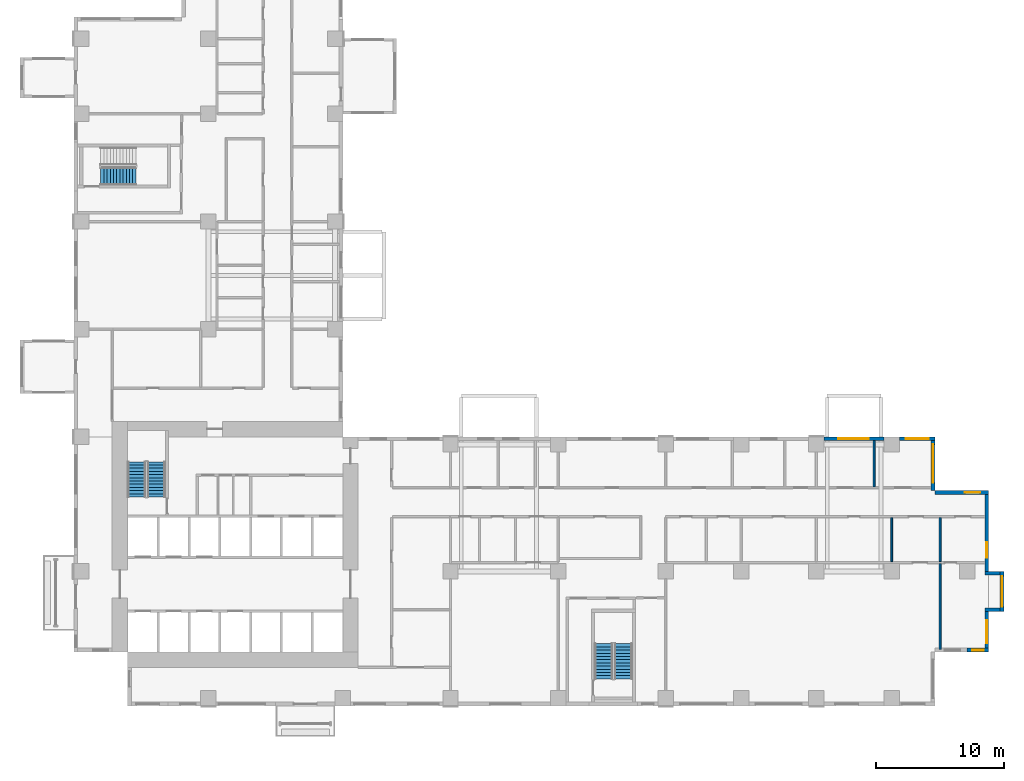
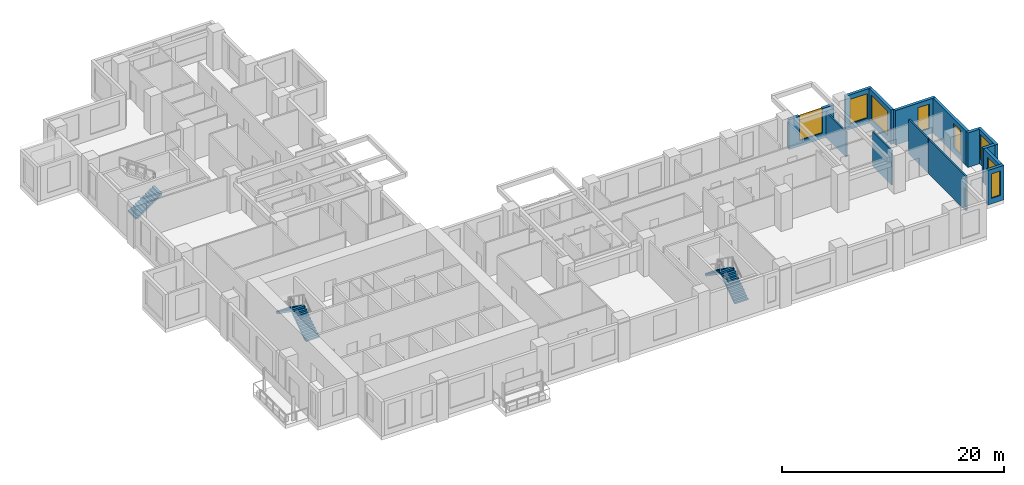
# One storey, part 9 of 14: 14 walls, 8 windows, 5 stair flights, 8 openings, 3 elements without a shape of their own.
"""IFC4 building model written with IfcOpenShell, lengths in metres."""

from ifc_helpers import new_model, si_unit, direction, frame, frame_2d, origin, place, context, subcontext, project, spatial, polyline, rectangle, outline, extrude, source, transform, mapped, material, layer, layer_set, type_object, element, fill, aggregate, save


model = new_model("IFC4")

# Units and contexts
model_context = context("Model", 3, precision=1e-05, world=origin(), true_north=direction((0.0, 1.0)))
body_context = subcontext(model_context, "Body", "Model", "MODEL_VIEW")
ifc_project = project(units=[si_unit("LENGTHUNIT", "METRE"), si_unit("AREAUNIT", "SQUARE_METRE"), si_unit("VOLUMEUNIT", "CUBIC_METRE"), si_unit("PLANEANGLEUNIT", "RADIAN"), si_unit("MASSUNIT", "GRAM", prefix="KILO")], contexts=[model_context])

# Site, building, storey
site_placement = place(None, origin())
site = spatial("IfcSite", under=ifc_project, at=site_placement, CompositionType="ELEMENT")
building_placement = place(site_placement, origin())
building = spatial("IfcBuilding", under=site, at=building_placement, Name="Aurelian Terraces", CompositionType="ELEMENT")
storey_placement = place(building_placement, frame((0.0, 0.0, 86.7)))
storey = spatial("IfcBuildingStorey", under=building, at=storey_placement, Name="L18", CompositionType="ELEMENT", Elevation=86.7)

# Wall, opening, window
ifc_material_1 = material(Name="Terracotta rainscreen cladding", Category="masonry")
ifc_layer_1 = layer(ifc_material_1, 0.3)
ifc_layer_set_1 = layer_set([ifc_layer_1], Name="EW-300")
wall_type_1 = type_object("IfcWallType", Name="EW-300", PredefinedType="STANDARD", material=ifc_layer_set_1)
shared_shape_1 = source(origin(), body_context, "Body", "SweptSolid", [
    extrude(rectangle(XDim=3.15, YDim=0.3, at=frame_2d((1.575, 0.0))), origin(), (0.0, 0.0, 1.0), 3.8),
])
wall_1_placement = place(storey_placement, frame((71.25, 4.2, 0.0), z_axis=(0.0, 0.0, 1.0), x_axis=(0.0, 1.0, 0.0)))
wall_1 = element("IfcWall", 1, at=wall_1_placement, inside=storey, type_object=wall_type_1, Name="External wall L18 F04.15", PredefinedType="STANDARD", context=body_context, shape_type="MappedRepresentation", body=[
    mapped(shared_shape_1, transform((0.0, 0.0, 0.0), scale=1.0)),
])
shared_shape_2 = source(origin(), body_context, "Body", "SweptSolid", [
    extrude(rectangle(XDim=1.8, YDim=2.7, at=frame_2d((0.9, 1.35))), frame((0.0, 0.16, 0.0), z_axis=(0.0, -1.0, 0.0), x_axis=(1.0, 0.0, 0.0)), (0.0, 0.0, 1.0), 0.32),
])
opening_1_placement = place(wall_1_placement, frame((0.675, 0.0, 0.6)))
opening_1 = element("IfcOpeningElement", 2, at=opening_1_placement, cuts=wall_1, Name="Opening W1827", PredefinedType="OPENING", context=body_context, shape_type="MappedRepresentation", body=[
    mapped(shared_shape_2, transform((0.0, 0.0, 0.0), scale=1.0)),
])
ifc_material_2 = material(Name="Clear glazing", Category="glass")
window_type_1 = type_object("IfcWindowType", Name="W-1800x2700", PartitioningType="SINGLE_PANEL", PredefinedType="WINDOW", material=ifc_material_2)
shared_shape_3 = source(origin(), body_context, "Body", "SweptSolid", [
    extrude(rectangle(XDim=1.8, YDim=2.7, at=frame_2d((0.9, 1.35))), frame((0.0, 0.03, 0.0), z_axis=(0.0, -1.0, 0.0), x_axis=(1.0, 0.0, 0.0)), (0.0, 0.0, 1.0), 0.06),
])
window_1_placement = place(opening_1_placement, origin())
window_1 = element("IfcWindow", 3, at=window_1_placement, inside=storey, type_object=window_type_1, Name="Window L18 L18-F04-15-0", OverallHeight=2.7, OverallWidth=1.8, PartitioningType="SINGLE_PANEL", PredefinedType="WINDOW", context=body_context, shape_type="MappedRepresentation", body=[
    mapped(shared_shape_3, transform((0.0, 0.0, 0.0), scale=1.0)),
])
fill(opening_1, window_1)

wall_2_placement = place(storey_placement, frame((72.45, 7.35, 0.0), z_axis=(0.0, 0.0, 1.0), x_axis=(0.0, 1.0, 0.0)))
wall_2 = element("IfcWall", 4, at=wall_2_placement, inside=storey, type_object=wall_type_1, Name="Bay wall L18 F04.16", PredefinedType="STANDARD", context=body_context, shape_type="MappedRepresentation", body=[
    mapped(shared_shape_1, transform((0.0, 0.0, 0.0), scale=1.0)),
])
shared_shape_4 = source(origin(), body_context, "Body", "SweptSolid", [
    extrude(rectangle(XDim=2.4, YDim=2.7, at=frame_2d((1.2, 1.35))), frame((0.0, 0.16, 0.0), z_axis=(0.0, -1.0, 0.0), x_axis=(1.0, 0.0, 0.0)), (0.0, 0.0, 1.0), 0.32),
])
opening_2_placement = place(wall_2_placement, frame((0.375, 0.0, 0.6)))
opening_2 = element("IfcOpeningElement", 5, at=opening_2_placement, cuts=wall_2, Name="Opening W2427", PredefinedType="OPENING", context=body_context, shape_type="MappedRepresentation", body=[
    mapped(shared_shape_4, transform((0.0, 0.0, 0.0), scale=1.0)),
])
window_type_2 = type_object("IfcWindowType", Name="W-2400x2700", PartitioningType="SINGLE_PANEL", PredefinedType="WINDOW", material=ifc_material_2)
shared_shape_5 = source(origin(), body_context, "Body", "SweptSolid", [
    extrude(rectangle(XDim=2.4, YDim=2.7, at=frame_2d((1.2, 1.35))), frame((0.0, 0.03, 0.0), z_axis=(0.0, -1.0, 0.0), x_axis=(1.0, 0.0, 0.0)), (0.0, 0.0, 1.0), 0.06),
])
window_2_placement = place(opening_2_placement, origin())
window_2 = element("IfcWindow", 6, at=window_2_placement, inside=storey, type_object=window_type_2, Name="Window L18 L18-F04-16-0", OverallHeight=2.7, OverallWidth=2.4, PartitioningType="SINGLE_PANEL", PredefinedType="WINDOW", context=body_context, shape_type="MappedRepresentation", body=[
    mapped(shared_shape_5, transform((0.0, 0.0, 0.0), scale=1.0)),
])
fill(opening_2, window_2)

shared_shape_6 = source(origin(), body_context, "Body", "SweptSolid", [
    extrude(rectangle(XDim=4.2, YDim=0.3, at=frame_2d((2.1, 0.0))), origin(), (0.0, 0.0, 1.0), 3.8),
])
wall_3_placement = place(storey_placement, frame((71.4, 16.65, 0.0), z_axis=(0.0, 0.0, 1.0), x_axis=(-1.0, 0.0, 0.0)))
wall_3 = element("IfcWall", 7, at=wall_3_placement, inside=storey, type_object=wall_type_1, Name="External wall L18 F05.18", PredefinedType="STANDARD", context=body_context, shape_type="MappedRepresentation", body=[
    mapped(shared_shape_6, transform((0.0, 0.0, 0.0), scale=1.0)),
])
shared_shape_7 = source(origin(), body_context, "Body", "SweptSolid", [
    extrude(rectangle(XDim=1.2, YDim=2.7, at=frame_2d((0.6, 1.35))), frame((0.0, 0.16, 0.0), z_axis=(0.0, -1.0, 0.0), x_axis=(1.0, 0.0, 0.0)), (0.0, 0.0, 1.0), 0.32),
])
opening_3_placement = place(wall_3_placement, frame((0.66, 0.0, 0.6)))
opening_3 = element("IfcOpeningElement", 8, at=opening_3_placement, cuts=wall_3, Name="Opening W1227", PredefinedType="OPENING", context=body_context, shape_type="MappedRepresentation", body=[
    mapped(shared_shape_7, transform((0.0, 0.0, 0.0), scale=1.0)),
])
window_type_3 = type_object("IfcWindowType", Name="W-1200x2700", PartitioningType="SINGLE_PANEL", PredefinedType="WINDOW", material=ifc_material_2)
shared_shape_8 = source(origin(), body_context, "Body", "SweptSolid", [
    extrude(rectangle(XDim=1.2, YDim=2.7, at=frame_2d((0.6, 1.35))), frame((0.0, 0.03, 0.0), z_axis=(0.0, -1.0, 0.0), x_axis=(1.0, 0.0, 0.0)), (0.0, 0.0, 1.0), 0.06),
])
window_3_placement = place(opening_3_placement, origin())
window_3 = element("IfcWindow", 9, at=window_3_placement, inside=storey, type_object=window_type_3, Name="Window L18 L18-F05-18-0", OverallHeight=2.7, OverallWidth=1.2, PartitioningType="SINGLE_PANEL", PredefinedType="WINDOW", context=body_context, shape_type="MappedRepresentation", body=[
    mapped(shared_shape_8, transform((0.0, 0.0, 0.0), scale=1.0)),
])
fill(opening_3, window_3)

wall_4_placement = place(storey_placement, frame((67.05, 16.8, 0.0), z_axis=(0.0, 0.0, 1.0), x_axis=(0.0, 1.0, 0.0)))
wall_4 = element("IfcWall", 10, at=wall_4_placement, inside=storey, type_object=wall_type_1, Name="External wall L18 F06.19", PredefinedType="STANDARD", context=body_context, shape_type="MappedRepresentation", body=[
    mapped(shared_shape_6, transform((0.0, 0.0, 0.0), scale=1.0)),
])
shared_shape_9 = source(origin(), body_context, "Body", "SweptSolid", [
    extrude(rectangle(XDim=3.0, YDim=2.7, at=frame_2d((1.5, 1.35))), frame((0.0, 0.16, 0.0), z_axis=(0.0, -1.0, 0.0), x_axis=(1.0, 0.0, 0.0)), (0.0, 0.0, 1.0), 0.32),
])
opening_4_placement = place(wall_4_placement, frame((0.6, 0.0, 0.6)))
opening_4 = element("IfcOpeningElement", 11, at=opening_4_placement, cuts=wall_4, Name="Opening W3027", PredefinedType="OPENING", context=body_context, shape_type="MappedRepresentation", body=[
    mapped(shared_shape_9, transform((0.0, 0.0, 0.0), scale=1.0)),
])
window_type_4 = type_object("IfcWindowType", Name="W-3000x2700", PartitioningType="SINGLE_PANEL", PredefinedType="WINDOW", material=ifc_material_2)
shared_shape_10 = source(origin(), body_context, "Body", "SweptSolid", [
    extrude(rectangle(XDim=3.0, YDim=2.7, at=frame_2d((1.5, 1.35))), frame((0.0, 0.03, 0.0), z_axis=(0.0, -1.0, 0.0), x_axis=(1.0, 0.0, 0.0)), (0.0, 0.0, 1.0), 0.06),
])
window_4_placement = place(opening_4_placement, origin())
window_4 = element("IfcWindow", 12, at=window_4_placement, inside=storey, type_object=window_type_4, Name="Window L18 L18-F06-19-0", OverallHeight=2.7, OverallWidth=3.0, PartitioningType="SINGLE_PANEL", PredefinedType="WINDOW", context=body_context, shape_type="MappedRepresentation", body=[
    mapped(shared_shape_10, transform((0.0, 0.0, 0.0), scale=1.0)),
])
fill(opening_4, window_4)

shared_shape_11 = source(origin(), body_context, "Body", "SweptSolid", [
    extrude(rectangle(XDim=2.76, YDim=0.3, at=frame_2d((1.38, 0.0))), origin(), (0.0, 0.0, 1.0), 3.8),
])
wall_5_placement = place(storey_placement, frame((67.2, 20.85, 0.0), z_axis=(0.0, 0.0, 1.0), x_axis=(-1.0, 0.0, 0.0)))
wall_5 = element("IfcWall", 13, at=wall_5_placement, inside=storey, type_object=wall_type_1, Name="External wall L18 F07.20", PredefinedType="STANDARD", context=body_context, shape_type="MappedRepresentation", body=[
    mapped(shared_shape_11, transform((0.0, 0.0, 0.0), scale=1.0)),
])
opening_5_placement = place(wall_5_placement, frame((0.48, 0.0, 0.6)))
opening_5 = element("IfcOpeningElement", 14, at=opening_5_placement, cuts=wall_5, Name="Opening W1827", PredefinedType="OPENING", context=body_context, shape_type="MappedRepresentation", body=[
    mapped(shared_shape_2, transform((0.0, 0.0, 0.0), scale=1.0)),
])
window_5_placement = place(opening_5_placement, origin())
window_5 = element("IfcWindow", 15, at=window_5_placement, inside=storey, type_object=window_type_1, Name="Window L18 L18-F07-20-P0", OverallHeight=2.7, OverallWidth=1.8, PartitioningType="SINGLE_PANEL", PredefinedType="WINDOW", context=body_context, shape_type="MappedRepresentation", body=[
    mapped(shared_shape_3, transform((0.0, 0.0, 0.0), scale=1.0)),
])
fill(opening_5, window_5)

# Walls
shared_shape_12 = source(origin(), body_context, "Body", "SweptSolid", [
    extrude(rectangle(XDim=1.2, YDim=0.3, at=frame_2d((0.6, 0.0))), origin(), (0.0, 0.0, 1.0), 3.8),
])
for number, where, z_axis, x_axis, name in (
    (16, (71.1, 7.5, 0.0), (0.0, 0.0, 1.0), (1.0, 0.0, 0.0), "Bay return L18 F04.16.1"),
    (17, (71.1, 10.35, 0.0), (0.0, 0.0, 1.0), (1.0, 0.0, 0.0), "Bay return L18 F04.16.2"),
):
    element("IfcWall", number, at=place(storey_placement, frame(where, z_axis=z_axis, x_axis=x_axis)), inside=storey, type_object=wall_type_1, Name=name, PredefinedType="STANDARD", context=body_context, shape_type="MappedRepresentation", body=[
        mapped(shared_shape_12, transform((0.0, 0.0, 0.0), scale=1.0)),
    ])

# Wall, opening, window
shared_shape_13 = source(origin(), body_context, "Body", "SweptSolid", [
    extrude(rectangle(XDim=4.68, YDim=0.3, at=frame_2d((2.34, 0.0))), origin(), (0.0, 0.0, 1.0), 3.3),
])
wall_6_placement = place(storey_placement, frame((63.24, 20.85, 0.0), z_axis=(0.0, 0.0, 1.0), x_axis=(-1.0, 0.0, 0.0)))
wall_6 = element("IfcWall", 18, at=wall_6_placement, inside=storey, type_object=wall_type_1, Name="External wall L18 F07.20", PredefinedType="STANDARD", context=body_context, shape_type="MappedRepresentation", body=[
    mapped(shared_shape_13, transform((0.0, 0.0, 0.0), scale=1.0)),
])
opening_6_placement = place(wall_6_placement, frame((1.1935, 0.0, 0.6)))
opening_6 = element("IfcOpeningElement", 19, at=opening_6_placement, cuts=wall_6, Name="Opening W2427", PredefinedType="OPENING", context=body_context, shape_type="MappedRepresentation", body=[
    mapped(shared_shape_4, transform((0.0, 0.0, 0.0), scale=1.0)),
])
window_6_placement = place(opening_6_placement, origin())
window_6 = element("IfcWindow", 20, at=window_6_placement, inside=storey, type_object=window_type_2, Name="Window L18 L18-F07-20-1", OverallHeight=2.7, OverallWidth=2.4, PartitioningType="SINGLE_PANEL", PredefinedType="WINDOW", context=body_context, shape_type="MappedRepresentation", body=[
    mapped(shared_shape_5, transform((0.0, 0.0, 0.0), scale=1.0)),
])
fill(opening_6, window_6)

shared_shape_14 = source(origin(), body_context, "Body", "SweptSolid", [
    extrude(rectangle(XDim=1.68, YDim=0.3, at=frame_2d((0.84, 0.0))), origin(), (0.0, 0.0, 1.0), 3.8),
])
wall_7_placement = place(storey_placement, frame((69.72, 4.35, 0.0), z_axis=(0.0, 0.0, 1.0), x_axis=(1.0, 0.0, 0.0)))
wall_7 = element("IfcWall", 21, at=wall_7_placement, inside=storey, type_object=wall_type_1, Name="External wall L18 F03.14", PredefinedType="STANDARD", context=body_context, shape_type="MappedRepresentation", body=[
    mapped(shared_shape_14, transform((0.0, 0.0, 0.0), scale=1.0)),
])
shared_shape_15 = source(origin(), body_context, "Body", "SweptSolid", [
    extrude(rectangle(XDim=0.9, YDim=2.7, at=frame_2d((0.45, 1.35))), frame((0.0, 0.16, 0.0), z_axis=(0.0, -1.0, 0.0), x_axis=(1.0, 0.0, 0.0)), (0.0, 0.0, 1.0), 0.32),
])
opening_7_placement = place(wall_7_placement, frame((0.39, 0.0, 0.6)))
opening_7 = element("IfcOpeningElement", 22, at=opening_7_placement, cuts=wall_7, Name="Opening W0927", PredefinedType="OPENING", context=body_context, shape_type="MappedRepresentation", body=[
    mapped(shared_shape_15, transform((0.0, 0.0, 0.0), scale=1.0)),
])
window_type_5 = type_object("IfcWindowType", Name="W-900x2700", PartitioningType="SINGLE_PANEL", PredefinedType="WINDOW", material=ifc_material_2)
shared_shape_16 = source(origin(), body_context, "Body", "SweptSolid", [
    extrude(rectangle(XDim=0.9, YDim=2.7, at=frame_2d((0.45, 1.35))), frame((0.0, 0.03, 0.0), z_axis=(0.0, -1.0, 0.0), x_axis=(1.0, 0.0, 0.0)), (0.0, 0.0, 1.0), 0.06),
])
window_7_placement = place(opening_7_placement, origin())
window_7 = element("IfcWindow", 23, at=window_7_placement, inside=storey, type_object=window_type_5, Name="Window L18 L18-F03-14-P0", OverallHeight=2.7, OverallWidth=0.9, PartitioningType="SINGLE_PANEL", PredefinedType="WINDOW", context=body_context, shape_type="MappedRepresentation", body=[
    mapped(shared_shape_16, transform((0.0, 0.0, 0.0), scale=1.0)),
])
fill(opening_7, window_7)

shared_shape_17 = source(origin(), body_context, "Body", "SweptSolid", [
    extrude(rectangle(XDim=6.3, YDim=0.3, at=frame_2d((3.15, 0.0))), origin(), (0.0, 0.0, 1.0), 3.8),
])
wall_8_placement = place(storey_placement, frame((71.25, 10.5, 0.0), z_axis=(0.0, 0.0, 1.0), x_axis=(0.0, 1.0, 0.0)))
wall_8 = element("IfcWall", 24, at=wall_8_placement, inside=storey, type_object=wall_type_1, Name="External wall L18 F04.17", PredefinedType="STANDARD", context=body_context, shape_type="MappedRepresentation", body=[
    mapped(shared_shape_17, transform((0.0, 0.0, 0.0), scale=1.0)),
])
opening_8_placement = place(wall_8_placement, frame((1.0625, 0.0, 0.6)))
opening_8 = element("IfcOpeningElement", 25, at=opening_8_placement, cuts=wall_8, Name="Opening W1227", PredefinedType="OPENING", context=body_context, shape_type="MappedRepresentation", body=[
    mapped(shared_shape_7, transform((0.0, 0.0, 0.0), scale=1.0)),
])
window_8_placement = place(opening_8_placement, origin())
window_8 = element("IfcWindow", 26, at=window_8_placement, inside=storey, type_object=window_type_3, Name="Window L18 L18-F04-17-0", OverallHeight=2.7, OverallWidth=1.2, PartitioningType="SINGLE_PANEL", PredefinedType="WINDOW", context=body_context, shape_type="MappedRepresentation", body=[
    mapped(shared_shape_8, transform((0.0, 0.0, 0.0), scale=1.0)),
])
fill(opening_8, window_8)

# Walls
ifc_material_3 = material(Name="Gypsum board on steel studs", Category="steel")
ifc_layer_2 = layer(ifc_material_3, 0.15)
ifc_layer_set_2 = layer_set([ifc_layer_2], Name="Partition 150")
wall_type_2 = type_object("IfcWallType", Name="Partition 150", PredefinedType="PARTITIONING", material=ifc_layer_set_2)
shared_shape_18 = source(origin(), body_context, "Body", "SweptSolid", [
    extrude(rectangle(XDim=6.695, YDim=0.15, at=frame_2d((3.3475, 0.0))), origin(), (0.0, 0.0, 1.0), 3.8),
])
wall_9_placement = place(storey_placement, frame((67.62, 4.405, 0.0), z_axis=(0.0, 0.0, 1.0), x_axis=(0.0, 1.0, 0.0)))
element("IfcWall", 27, at=wall_9_placement, inside=storey, type_object=wall_type_2, Name="Partition", PredefinedType="PARTITIONING", context=body_context, shape_type="MappedRepresentation", body=[
    mapped(shared_shape_18, transform((0.0, 0.0, 0.0), scale=1.0)),
])
shared_shape_19 = source(origin(), body_context, "Body", "SweptSolid", [
    extrude(rectangle(XDim=3.6, YDim=0.15, at=frame_2d((1.8, 0.0))), origin(), (0.0, 0.0, 1.0), 2.8),
])
wall_10_placement = place(storey_placement, frame((62.4675, 20.7, 0.0), z_axis=(0.0, 0.0, 1.0), x_axis=(0.0, -1.0, 0.0)))
element("IfcWall", 28, at=wall_10_placement, inside=storey, type_object=wall_type_2, Name="Partition", PredefinedType="PARTITIONING", context=body_context, shape_type="MappedRepresentation", body=[
    mapped(shared_shape_19, transform((0.0, 0.0, 0.0), scale=1.0)),
])
shared_shape_20 = source(origin(), body_context, "Body", "SweptSolid", [
    extrude(rectangle(XDim=3.45, YDim=0.15, at=frame_2d((1.725, 0.0))), origin(), (0.0, 0.0, 1.0), 3.8),
])
for number, where, z_axis, x_axis, name in (
    (29, (63.84, 11.25, 0.0), (0.0, 0.0, 1.0), (0.0, 1.0, 0.0), "Partition"),
    (30, (67.62, 11.25, 0.0), (0.0, 0.0, 1.0), (0.0, 1.0, 0.0), "Partition"),
):
    element("IfcWall", number, at=place(storey_placement, frame(where, z_axis=z_axis, x_axis=x_axis)), inside=storey, type_object=wall_type_2, Name=name, PredefinedType="PARTITIONING", context=body_context, shape_type="MappedRepresentation", body=[
        mapped(shared_shape_20, transform((0.0, 0.0, 0.0), scale=1.0)),
    ])

# Stair, stair flights
ifc_material_4 = material(Name="Concrete fc' 40 MPa", Category="concrete")
stair_type = type_object("IfcStairType", Name="Stair 1400", PredefinedType="HALF_TURN_STAIR", material=ifc_material_4)
stair_1_placement = place(storey_placement, origin())
stair_1 = element("IfcStair", 31, at=stair_1_placement, inside=storey, type_object=stair_type, Name="L18 S1", PredefinedType="HALF_TURN_STAIR")
stair_flight_type = type_object("IfcStairFlightType", Name="Stair flight 1400", PredefinedType="STRAIGHT", material=ifc_material_4)
shared_shape_21 = source(origin(), body_context, "Body", "SweptSolid", [
    extrude(outline(polyline([(0.0, 0.0), (0.0, 0.175), (0.25, 0.175), (0.25, 0.35), (0.5, 0.35), (0.5, 0.525), (0.75, 0.525), (0.75, 0.7), (1.0, 0.7), (1.0, 0.875), (1.25, 0.875), (1.25, 1.05), (1.5, 1.05), (1.5, 1.225), (1.75, 1.225), (1.75, 1.4), (2.0, 1.4), (2.0, 1.575), (2.25, 1.575), (2.25, 1.75), (2.5, 1.75), (2.5, 1.925), (2.75, 1.925), (2.75, 2.1), (2.75, 1.7419), (0.2616, 0.0), (0.0, 0.0)])), frame((0.0, 0.7, 0.0), z_axis=(0.0, -1.0, 0.0), x_axis=(1.0, 0.0, 0.0)), (0.0, 0.0, 1.0), 1.4),
])
stair_flight_1_placement = place(storey_placement, frame((6.45, 16.3, 2e-08), z_axis=(0.0, 0.0, 1.0), x_axis=(0.0, 1.0, 0.0)))
stair_flight_1 = element("IfcStairFlight", 32, at=stair_flight_1_placement, type_object=stair_flight_type, Name="S1 flight 1", NumberOfRisers=12, NumberOfTreads=11, PredefinedType="STRAIGHT", RiserHeight=0.175, TreadLength=0.25, context=body_context, shape_type="MappedRepresentation", body=[
    mapped(shared_shape_21, transform((0.0, 0.0, 0.0), scale=1.0)),
])
stair_flight_2_placement = place(storey_placement, frame((4.9, 19.05, 2.100000019999994), z_axis=(0.0, 0.0, 1.0), x_axis=(0.0, -1.0, 0.0)))
stair_flight_2 = element("IfcStairFlight", 33, at=stair_flight_2_placement, type_object=stair_flight_type, Name="S1 flight 2", NumberOfRisers=12, NumberOfTreads=11, PredefinedType="STRAIGHT", RiserHeight=0.175, TreadLength=0.25, context=body_context, shape_type="MappedRepresentation", body=[
    mapped(shared_shape_21, transform((0.0, 0.0, 0.0), scale=1.0)),
])
aggregate(stair_1, [stair_flight_1, stair_flight_2])

stair_2_placement = place(storey_placement, origin())
stair_2 = element("IfcStair", 34, at=stair_2_placement, inside=storey, type_object=stair_type, Name="L18 S2", PredefinedType="HALF_TURN_STAIR")
stair_flight_3_placement = place(storey_placement, frame((42.9, 2.1, 2e-08), z_axis=(0.0, 0.0, 1.0), x_axis=(0.0, 1.0, 0.0)))
stair_flight_3 = element("IfcStairFlight", 35, at=stair_flight_3_placement, type_object=stair_flight_type, Name="S2 flight 1", NumberOfRisers=12, NumberOfTreads=11, PredefinedType="STRAIGHT", RiserHeight=0.175, TreadLength=0.25, context=body_context, shape_type="MappedRepresentation", body=[
    mapped(shared_shape_21, transform((0.0, 0.0, 0.0), scale=1.0)),
])
stair_flight_4_placement = place(storey_placement, frame((41.35, 4.85, 2.100000019999994), z_axis=(0.0, 0.0, 1.0), x_axis=(0.0, -1.0, 0.0)))
stair_flight_4 = element("IfcStairFlight", 36, at=stair_flight_4_placement, type_object=stair_flight_type, Name="S2 flight 2", NumberOfRisers=12, NumberOfTreads=11, PredefinedType="STRAIGHT", RiserHeight=0.175, TreadLength=0.25, context=body_context, shape_type="MappedRepresentation", body=[
    mapped(shared_shape_21, transform((0.0, 0.0, 0.0), scale=1.0)),
])
aggregate(stair_2, [stair_flight_3, stair_flight_4])

# Stair, stair flight
stair_3_placement = place(storey_placement, origin())
stair_3 = element("IfcStair", 37, at=stair_3_placement, inside=storey, type_object=stair_type, Name="L18 S3", PredefinedType="HALF_TURN_STAIR")
stair_flight_5_placement = place(storey_placement, frame((2.1, 41.35, 2e-08), z_axis=(0.0, 0.0, 1.0), x_axis=(1.0, 0.0, 0.0)))
stair_flight_5 = element("IfcStairFlight", 38, at=stair_flight_5_placement, type_object=stair_flight_type, Name="S3 flight 1", NumberOfRisers=12, NumberOfTreads=11, PredefinedType="STRAIGHT", RiserHeight=0.175, TreadLength=0.25, context=body_context, shape_type="MappedRepresentation", body=[
    mapped(shared_shape_21, transform((0.0, 0.0, 0.0), scale=1.0)),
])
aggregate(stair_3, [stair_flight_5])

save(model, "model.ifc")
